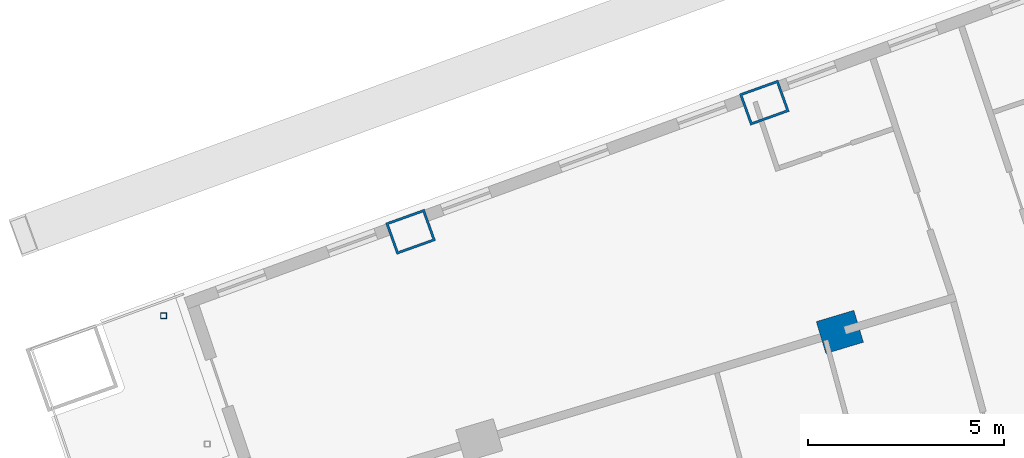
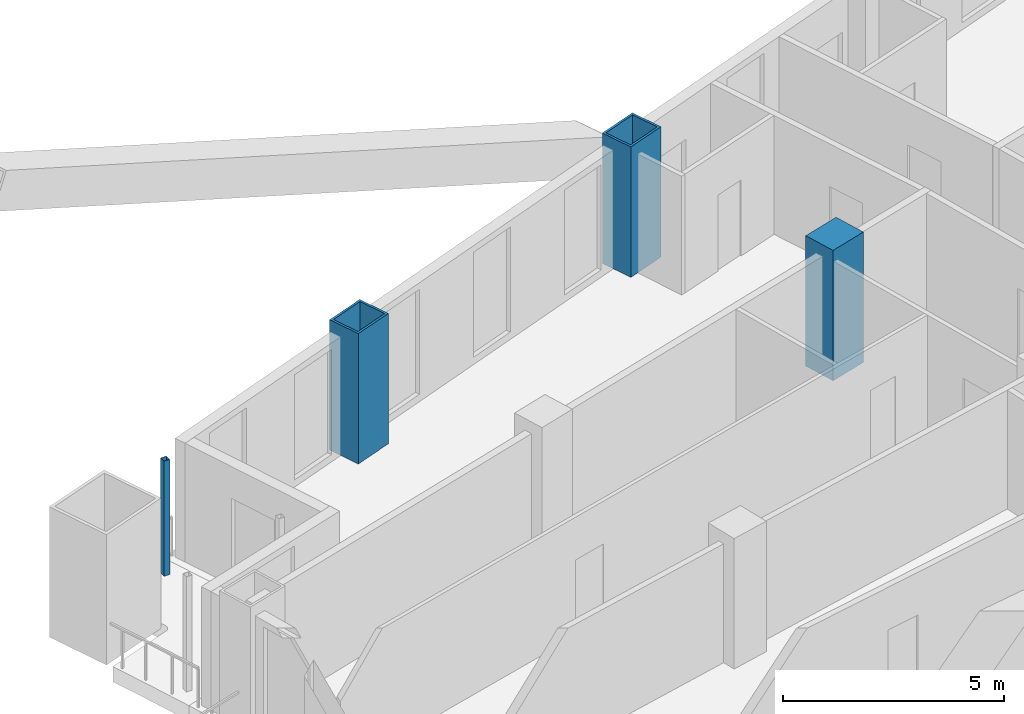
# One storey, part 9 of 25: 4 columns.
"""IFC4 building model written with IfcOpenShell, lengths in metres."""

from ifc_helpers import new_model, si_unit, direction, frame, origin, origin_2d, place, context, subcontext, project, spatial, rectangle, hollow_rectangle, extrude, material, material_profile, profile_set, type_object, element, save


model = new_model("IFC4")

# Units and contexts
model_context = context("Model", 3, precision=1e-05, world=origin(), true_north=direction((0.0, 1.0)))
body_context = subcontext(model_context, "Body", "Model", "MODEL_VIEW")
ifc_project = project(units=[si_unit("LENGTHUNIT", "METRE"), si_unit("AREAUNIT", "SQUARE_METRE"), si_unit("VOLUMEUNIT", "CUBIC_METRE"), si_unit("PLANEANGLEUNIT", "RADIAN"), si_unit("MASSUNIT", "GRAM", prefix="KILO")], contexts=[model_context])

# Site, building, storey
site_placement = place(None, origin())
site = spatial("IfcSite", under=ifc_project, at=site_placement, CompositionType="ELEMENT")
building_placement = place(site_placement, origin())
building = spatial("IfcBuilding", under=site, at=building_placement, Name="Alderwake Tower", CompositionType="ELEMENT")
storey_placement = place(building_placement, frame((0.0, 0.0, 114.800048828125)))
storey = spatial("IfcBuildingStorey", under=building, at=storey_placement, Name="L28", CompositionType="ELEMENT", Elevation=114.800048828125)

# Columns
ifc_material_1 = material(Name="Steel ASTM A572 Grade 50 concrete filled C70/85", Category="concrete")
ifc_material_profile_1 = material_profile(ifc_material_1, hollow_rectangle(XDim=0.85009765625, YDim=1.050048828125, WallThickness=0.06005859375, at=origin_2d()), Name="BOX 1050X850X60")
ifc_profile_set_1 = profile_set([ifc_material_profile_1], Name="Steel ASTM A572 Grade 50 concrete filled C70/85")
column_type_1 = type_object("IfcColumnType", Name="End column Z2", PredefinedType="COLUMN", material=ifc_profile_set_1)
for number, where, z_axis, x_axis, name in (
    (1, (19.965576171875, 96.8515625, 0.0), (0.0, 0.0, 1.0), (-0.337584879279, 0.9412950915, 0.0), "Column R13-C1"),
    (2, (28.983642578125, 100.143310546875, 0.0), (0.0, 0.0, 1.0), (-0.338026774049, 0.941136493834, 0.0), "Column R13-C2"),
):
    element("IfcColumn", number, at=place(storey_placement, frame(where, z_axis=z_axis, x_axis=x_axis)), inside=storey, type_object=column_type_1, Name=name, PredefinedType="COLUMN", context=body_context, shape_type="SweptSolid", body=[
        extrude(hollow_rectangle(XDim=0.85009765625, YDim=1.050048828125, WallThickness=0.06005859375, at=origin_2d()), origin(), (0.0, 0.0, 1.0), 3.599853515625),
    ])
ifc_material_2 = material(Name="Concrete C70/85", Category="concrete")
ifc_material_profile_2 = material_profile(ifc_material_2, rectangle(XDim=0.85009765625, YDim=1.0, at=origin_2d()), Name="RC 1000X850")
ifc_profile_set_2 = profile_set([ifc_material_profile_2], Name="Concrete C70/85")
column_type_2 = type_object("IfcColumnType", Name="Interior column Z2", PredefinedType="COLUMN", material=ifc_profile_set_2)
column_1_placement = place(storey_placement, frame((30.9091796875, 94.298095703125, 0.0), z_axis=(0.0, 0.0, 1.0), x_axis=(-0.287549418125, 0.957765802342, 0.0)))
element("IfcColumn", 3, at=column_1_placement, inside=storey, type_object=column_type_2, Name="Column R12-C2", PredefinedType="COLUMN", context=body_context, shape_type="SweptSolid", body=[
    extrude(rectangle(XDim=0.85009765625, YDim=1.0, at=origin_2d()), origin(), (0.0, 0.0, 1.0), 3.599853515625),
])
ifc_material_3 = material(Name="Steel ASTM A500 Grade C", Category="steel")
ifc_material_profile_3 = material_profile(ifc_material_3, hollow_rectangle(XDim=0.15234375, YDim=0.15234375, WallThickness=0.0087890625, at=origin_2d()), Name="HSS6X6X3/8")
ifc_profile_set_3 = profile_set([ifc_material_profile_3], Name="Steel ASTM A500 Grade C")
column_type_3 = type_object("IfcColumnType", Name="Light post HSS6X6X3/8", PredefinedType="COLUMN", material=ifc_profile_set_3)
column_2_placement = place(storey_placement, frame((13.66796875, 94.71240234375, 0.0), z_axis=(0.0, 0.0, 1.0), x_axis=(1.0, 0.0, 0.0)))
element("IfcColumn", 4, at=column_2_placement, inside=storey, type_object=column_type_3, Name="Terrace post RN2", PredefinedType="COLUMN", context=body_context, shape_type="SweptSolid", body=[
    extrude(hollow_rectangle(XDim=0.15234375, YDim=0.15234375, WallThickness=0.0087890625, at=origin_2d()), origin(), (0.0, 0.0, 1.0), 3.179931640625),
])

save(model, "model.ifc")
